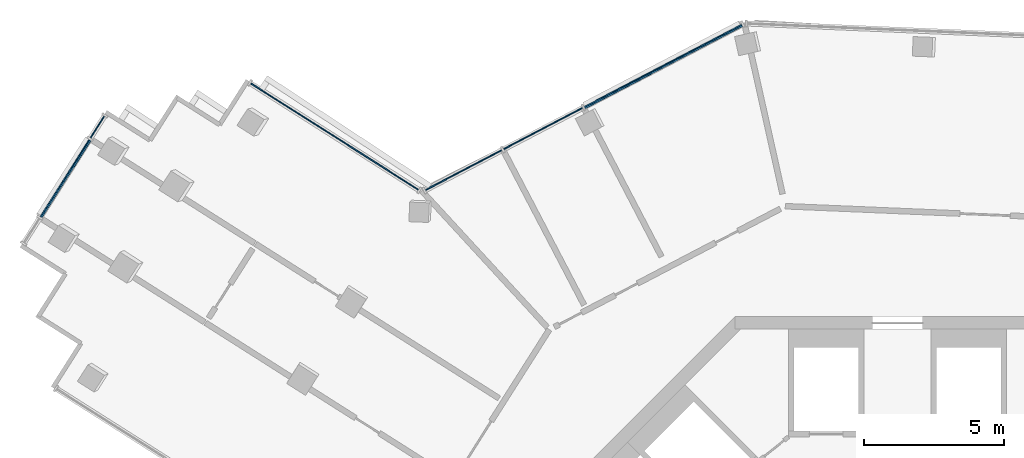
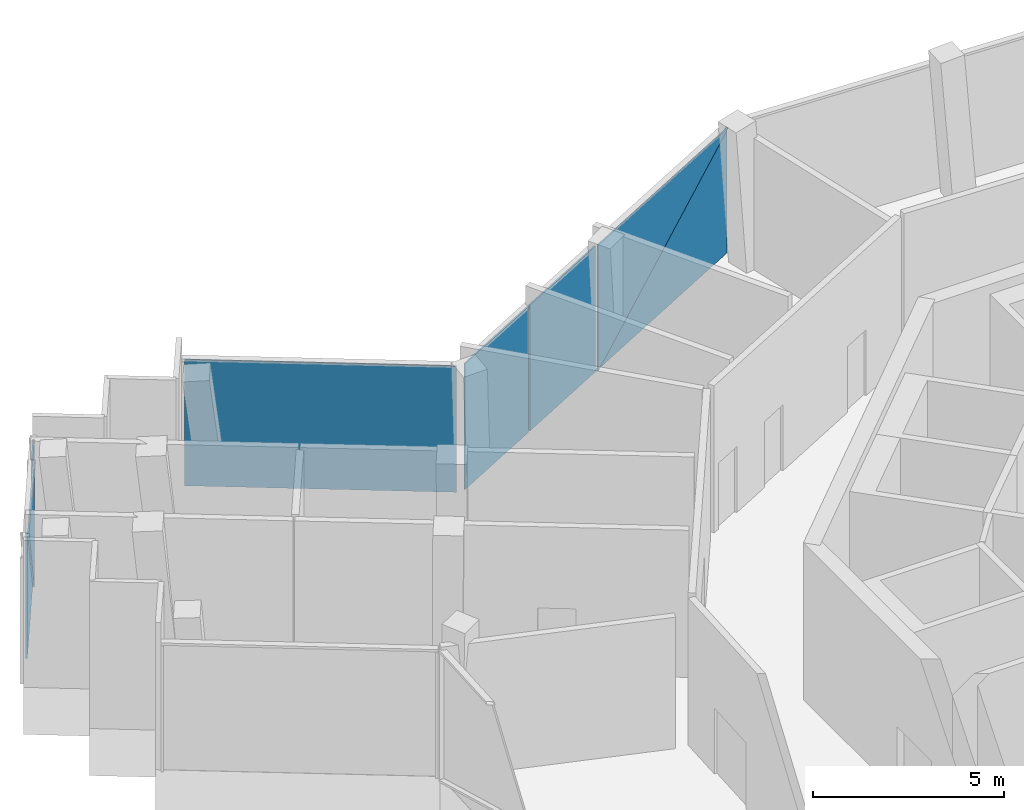
# One storey, part 8 of 21: 8 plates, 3 elements without a shape of their own.
"""IFC4 building model written with IfcOpenShell, lengths in metres."""

from ifc_helpers import new_model, si_unit, direction, frame, origin, origin_2d, place, context, subcontext, project, spatial, polyline, rectangle, outline, extrude, material, layer, layer_set, type_object, element, aggregate, save


model = new_model("IFC4")

# Units and contexts
model_context = context("Model", 3, precision=1e-05, world=origin(), true_north=direction((0.0, 1.0)))
body_context = subcontext(model_context, "Body", "Model", "MODEL_VIEW")
ifc_project = project(units=[si_unit("LENGTHUNIT", "METRE"), si_unit("AREAUNIT", "SQUARE_METRE"), si_unit("VOLUMEUNIT", "CUBIC_METRE"), si_unit("PLANEANGLEUNIT", "RADIAN"), si_unit("MASSUNIT", "GRAM", prefix="KILO")], contexts=[model_context])

# Site, building, storey
site_placement = place(None, origin())
site = spatial("IfcSite", under=ifc_project, at=site_placement, CompositionType="ELEMENT")
building_placement = place(site_placement, origin())
building = spatial("IfcBuilding", under=site, at=building_placement, Name="Verdalira Terraces Hotel", CompositionType="ELEMENT")
storey_placement = place(building_placement, frame((0.0, 0.0, 269.0)))
storey = spatial("IfcBuildingStorey", under=building, at=storey_placement, Name="L66", CompositionType="ELEMENT", Elevation=269.0)

# Curtain wall, plate
ifc_material_1 = material(Name="Clear glass", Category="glass")
ifc_layer_1 = layer(ifc_material_1, 0.239990234375)
ifc_layer_set_1 = layer_set([ifc_layer_1], Name="CW5 curtain wall")
curtain_wall_type = type_object("IfcCurtainWallType", Name="CW5 curtain wall", PredefinedType="NOTDEFINED", material=ifc_layer_set_1)
curtain_wall_1_placement = place(storey_placement, origin())
curtain_wall_1 = element("IfcCurtainWall", 1, at=curtain_wall_1_placement, inside=storey, type_object=curtain_wall_type, Name="CW5 curtain wall L66 edge 0", PredefinedType="NOTDEFINED")
ifc_material_2 = material(Name="Clear glass", Category="glass")
ifc_layer_2 = layer(ifc_material_2, 0.0439453125)
ifc_layer_set_2 = layer_set([ifc_layer_2], Name="CW5 glass unit 44")
plate_type = type_object("IfcPlateType", Name="CW5 glass unit 44", PredefinedType="CURTAIN_PANEL", material=ifc_layer_set_2)
plate_1_placement = place(storey_placement, frame((-20.117676, 20.429932, 0.0), z_axis=(0.0, 0.0, 1.0), x_axis=(-0.844327926, 0.535826795, 0.0)))
plate_1 = element("IfcPlate", 2, at=plate_1_placement, type_object=plate_type, Name="CW5 glass unit", PredefinedType="CURTAIN_PANEL", context=body_context, shape_type="SweptSolid", body=[
    extrude(rectangle(XDim=7.10498, YDim=0.043945, at=origin_2d()), origin(), (0.0, 0.0, 1.0), 4.014893),
])
aggregate(curtain_wall_1, [plate_1])

# Curtain wall, plates
curtain_wall_2_placement = place(storey_placement, origin())
curtain_wall_2 = element("IfcCurtainWall", 3, at=curtain_wall_2_placement, inside=storey, type_object=curtain_wall_type, Name="CW5 curtain wall L66 edge 5", PredefinedType="NOTDEFINED")
plate_2_placement = place(storey_placement, frame((-28.595947, 20.773682, 0.0), z_axis=(0.0, 0.0, 1.0), x_axis=(-0.535826795, -0.844327926, 0.0)))
plate_2 = element("IfcPlate", 4, at=plate_2_placement, type_object=plate_type, Name="CW5 glass unit", PredefinedType="CURTAIN_PANEL", context=body_context, shape_type="SweptSolid", body=[
    extrude(rectangle(XDim=0.925293, YDim=0.043945, at=origin_2d()), origin(), (0.0, 0.0, 1.0), 4.014893),
])
plate_3_placement = place(storey_placement, frame((-29.739014, 18.931152, 2.007568), z_axis=(-0.844327926, 0.535826795, 0.0), x_axis=(-0.535826795, -0.844327926, 0.0)))
plate_3 = element("IfcPlate", 5, at=plate_3_placement, type_object=plate_type, Name="CW5 glass unit", PredefinedType="CURTAIN_PANEL", context=body_context, shape_type="SweptSolid", body=[
    extrude(outline(polyline([(-1.635742, -2.007324), (1.635742, -2.007324), (1.635742, 2.007324), (-1.635742, -2.007324)])), origin(), (0.0, 0.0, 1.0), 0.043945),
])
plate_4_placement = place(storey_placement, frame((-29.701172, 18.906982, 2.007568), z_axis=(-0.844327926, 0.535826795, 0.0), x_axis=(-0.535826795, -0.844327926, 0.0)))
plate_4 = element("IfcPlate", 6, at=plate_4_placement, type_object=plate_type, Name="CW5 glass unit", PredefinedType="CURTAIN_PANEL", context=body_context, shape_type="SweptSolid", body=[
    extrude(outline(polyline([(-1.635742, -2.007324), (1.635742, 2.007324), (-1.635742, 2.007324), (-1.635742, -2.007324)])), origin(), (0.0, 0.0, 1.0), 0.043945),
])
aggregate(curtain_wall_2, [plate_2, plate_3, plate_4])

curtain_wall_3_placement = place(storey_placement, origin())
curtain_wall_3 = element("IfcCurtainWall", 7, at=curtain_wall_3_placement, inside=storey, type_object=curtain_wall_type, Name="CW5 curtain wall L66 edge 41", PredefinedType="NOTDEFINED")
plate_5_placement = place(storey_placement, frame((-8.367676, 22.939941, 2.007568), z_axis=(-0.463296035, 0.886203579, 0.0), x_axis=(-0.886203579, -0.463296035, 0.0)))
plate_5 = element("IfcPlate", 8, at=plate_5_placement, type_object=plate_type, Name="CW5 glass unit", PredefinedType="CURTAIN_PANEL", context=body_context, shape_type="SweptSolid", body=[
    extrude(outline(polyline([(-3.177246, -2.007324), (3.177246, -2.007324), (-3.177246, 2.007324), (-3.177246, -2.007324)])), origin(), (0.0, 0.0, 1.0), 0.043945),
])
plate_6_placement = place(storey_placement, frame((-8.346924, 22.900146, 2.007568), z_axis=(-0.463296035, 0.886203579, 0.0), x_axis=(-0.886203579, -0.463296035, 0.0)))
plate_6 = element("IfcPlate", 9, at=plate_6_placement, type_object=plate_type, Name="CW5 glass unit", PredefinedType="CURTAIN_PANEL", context=body_context, shape_type="SweptSolid", body=[
    extrude(outline(polyline([(3.177246, -2.007324), (3.177246, 2.007324), (-3.177246, 2.007324), (3.177246, -2.007324)])), origin(), (0.0, 0.0, 1.0), 0.043945),
])
plate_7_placement = place(storey_placement, frame((-12.665039, 20.718262, 0.0), z_axis=(0.0, 0.0, 1.0), x_axis=(-0.886203579, -0.463296035, 0.0)))
plate_7 = element("IfcPlate", 10, at=plate_7_placement, type_object=plate_type, Name="CW5 glass unit", PredefinedType="CURTAIN_PANEL", context=body_context, shape_type="SweptSolid", body=[
    extrude(rectangle(XDim=3.179932, YDim=0.043945, at=origin_2d()), origin(), (0.0, 0.0, 1.0), 4.014893),
])
plate_8_placement = place(storey_placement, frame((-15.506592, 19.23291, 0.0), z_axis=(0.0, 0.0, 1.0), x_axis=(-0.886203579, -0.463296035, 0.0)))
plate_8 = element("IfcPlate", 11, at=plate_8_placement, type_object=plate_type, Name="CW5 glass unit", PredefinedType="CURTAIN_PANEL", context=body_context, shape_type="SweptSolid", body=[
    extrude(rectangle(XDim=3.093018, YDim=0.043945, at=origin_2d()), origin(), (0.0, 0.0, 1.0), 4.014893),
])
aggregate(curtain_wall_3, [plate_5, plate_6, plate_7, plate_8])

save(model, "model.ifc")
